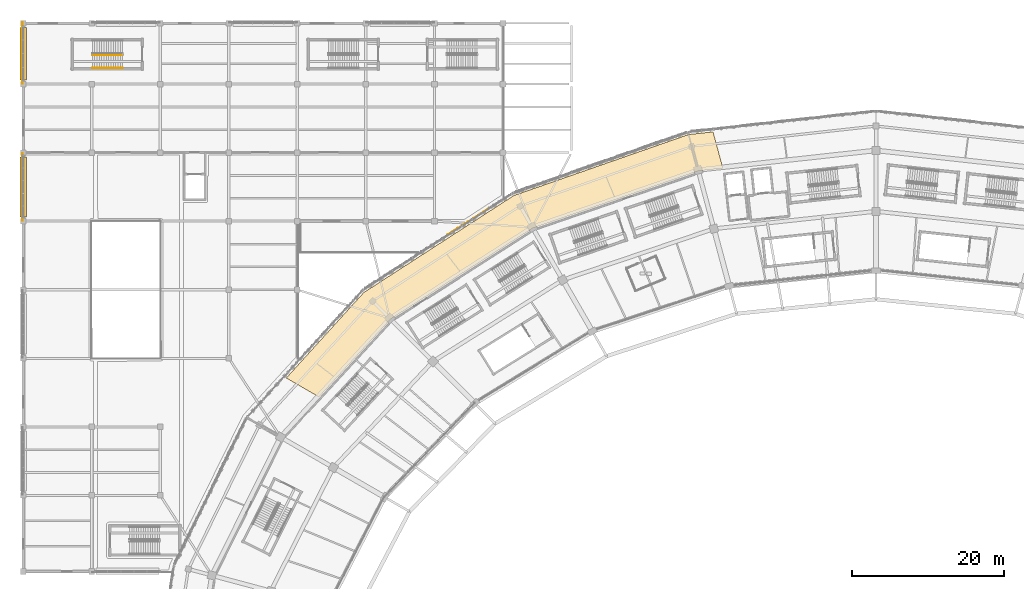
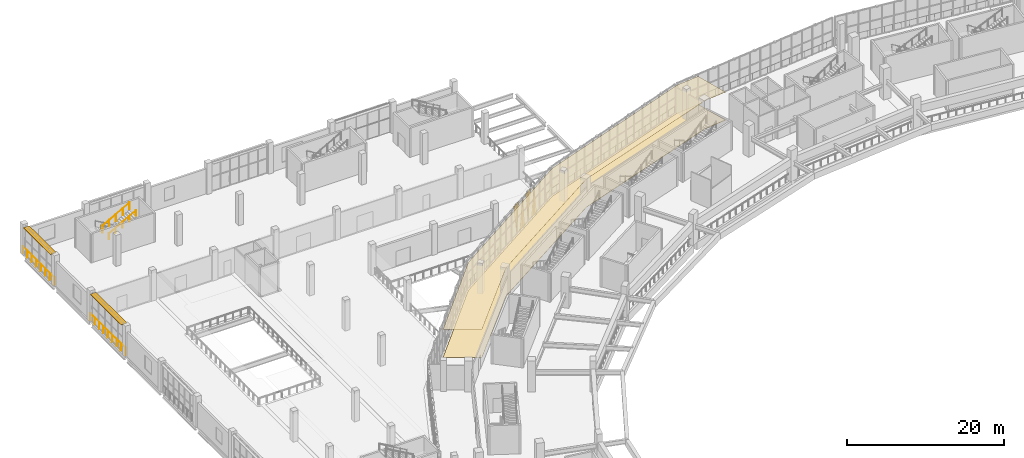
# One storey, part 161 of 179: 6 coverings, 4 railings, 2 shading devices.
"""IFC4 building model written with IfcOpenShell, lengths in metres."""

import ifcopenshell
import ifcopenshell.guid

model = None  # the IFC model being written
_history = None  # IfcOwnerHistory: only IFC2X3 demands one
_inside = {}  # id of a spatial element -> (the spatial element, [elements in it])
_under = {}  # id of a project, library or spatial element -> (it, [spatial elements below it])
_declared = {}  # id of a project -> (the project, [libraries it declares])
_typed = {}  # id of a type object -> (the type object, [elements of that type])
_made_of = {}  # id of a material, layer set ... -> (it, [elements and type objects made of it])


def new_model(schema):
    """Start an empty IFC model of exactly this schema.

    Asked for "IFC4X3", IfcOpenShell would pick the latest addendum, in which some entities
    have other attributes; the version numbers below select the first issue.
    IFC2X3 requires an IfcOwnerHistory on every rooted entity: one is made here for all.
    """
    global model, _history
    if schema == "IFC4X3":
        model = ifcopenshell.file(schema_version=(4, 3, 0, 0))
    else:
        model = ifcopenshell.file(schema=schema)
    _inside.clear()
    _under.clear()
    _declared.clear()
    _typed.clear()
    _made_of.clear()
    _history = None
    if model.schema == "IFC2X3":
        org = make("IfcOrganization", Name="unknown")
        user = make(
            "IfcPersonAndOrganization",
            ThePerson=make("IfcPerson", FamilyName="unknown"),
            TheOrganization=org,
        )
        app = make(
            "IfcApplication",
            ApplicationDeveloper=org,
            Version="unknown",
            ApplicationFullName="unknown",
            ApplicationIdentifier="unknown",
        )
        _history = make(
            "IfcOwnerHistory",
            OwningUser=user,
            OwningApplication=app,
            ChangeAction="ADDED",
            CreationDate=0,
        )
    return model


def make(cls, **values):
    """One entity of the class cls with the attributes given. An attribute that is None is left unset."""
    return model.create_entity(
        cls, **{name: value for name, value in values.items() if value is not None}
    )


def rooted(cls, **values):
    """An entity with a GlobalId (a new one), such as an element, a storey or a relation."""
    return make(cls, GlobalId=ifcopenshell.guid.new(), OwnerHistory=_history, **values)


def si_unit(unit_type, name, prefix=None):
    """IfcSIUnit, for example si_unit("LENGTHUNIT", "METRE", prefix="MILLI")."""
    return make("IfcSIUnit", UnitType=unit_type, Prefix=prefix, Name=name)


def assignment(units):
    """IfcUnitAssignment: the units of a project."""
    return None if units is None else make("IfcUnitAssignment", Units=units)


def point(xyz):
    """IfcCartesianPoint."""
    return None if xyz is None else make("IfcCartesianPoint", Coordinates=xyz)


def direction(xyz):
    """IfcDirection."""
    return None if xyz is None else make("IfcDirection", DirectionRatios=xyz)


def frame(location, z_axis=None, x_axis=None):
    """IfcAxis2Placement3D, a coordinate frame: its origin and axes. An axis left out is left unset."""
    return make(
        "IfcAxis2Placement3D",
        Location=point(location),
        Axis=direction(z_axis),
        RefDirection=direction(x_axis),
    )


def frame_2d(location, x_axis=None):
    """IfcAxis2Placement2D, a coordinate frame in the plane: its origin and x axis."""
    return make(
        "IfcAxis2Placement2D", Location=point(location), RefDirection=direction(x_axis)
    )


def origin():
    """The frame at (0, 0, 0) with its axes left unset."""
    return frame((0.0, 0.0, 0.0))


def origin_2d():
    """The frame at (0, 0) in the plane with its x axis left unset."""
    return frame_2d((0.0, 0.0))


def place(relative_to, where):
    """IfcLocalPlacement: puts the frame where relative to a parent placement (None: the world)."""
    return make(
        "IfcLocalPlacement", PlacementRelTo=relative_to, RelativePlacement=where
    )


def context(
    kind, dimensions, precision=None, world=None, true_north=None, identifier=None
):
    """IfcGeometricRepresentationContext, for example the 3D "Model" context."""
    return make(
        "IfcGeometricRepresentationContext",
        ContextIdentifier=identifier,
        ContextType=kind,
        CoordinateSpaceDimension=dimensions,
        Precision=precision,
        WorldCoordinateSystem=world,
        TrueNorth=true_north,
    )


def subcontext(parent, identifier, kind, view, scale=None):
    """IfcGeometricRepresentationSubContext, for example "Body" below "Model"."""
    return make(
        "IfcGeometricRepresentationSubContext",
        ContextIdentifier=identifier,
        ContextType=kind,
        ParentContext=parent,
        TargetScale=scale,
        TargetView=view,
    )


def project(units=None, contexts=None):
    """IfcProject with its units and contexts."""
    return rooted(
        "IfcProject",
        Name="project",
        RepresentationContexts=contexts,
        UnitsInContext=assignment(units),
    )


def spatial(cls, under=None, at=None, **own):
    """A site, building, storey or space (cls), placed at a placement, below another one or the project."""
    s = rooted(cls, ObjectPlacement=at, **own)
    if under is not None:
        _under.setdefault(under.id(), (under, []))[1].append(s)
    return s


def polyline(points):
    """IfcPolyline through the points."""
    return make("IfcPolyline", Points=[point(p) for p in points])


def profile(cls, at=None, kind="AREA", **sizes):
    """A parametric profile (cls). Its sizes go by their IFC names, for example OverallWidth=200.0."""
    return make(cls, ProfileType=kind, Position=at, **sizes)


def rectangle(**sizes):
    """IfcRectangleProfileDef."""
    return profile("IfcRectangleProfileDef", **sizes)


def circle(**sizes):
    """IfcCircleProfileDef."""
    return profile("IfcCircleProfileDef", **sizes)


def outline(outer, holes=None, kind="AREA"):
    """IfcArbitraryClosedProfileDef: a profile drawn as a closed curve; with holes, ...WithVoids."""
    if holes is None:
        return make("IfcArbitraryClosedProfileDef", ProfileType=kind, OuterCurve=outer)
    return make(
        "IfcArbitraryProfileDefWithVoids",
        ProfileType=kind,
        OuterCurve=outer,
        InnerCurves=holes,
    )


def extrude(swept, where, along, depth):
    """IfcExtrudedAreaSolid: the profile swept, set in the frame where, extruded along a direction by depth."""
    return make(
        "IfcExtrudedAreaSolid",
        SweptArea=swept,
        Position=where,
        ExtrudedDirection=direction(along),
        Depth=depth,
    )


def shape(context_of_items, identifier, shape_type, items):
    """IfcShapeRepresentation: the items that make up one representation, for example the "Body"."""
    return make(
        "IfcShapeRepresentation",
        ContextOfItems=context_of_items,
        RepresentationIdentifier=identifier,
        RepresentationType=shape_type,
        Items=items,
    )


def material(Name=None, Category=None):
    """IfcMaterial."""
    return make("IfcMaterial", Name=Name, Category=Category)


def layer(
    of_material, thickness, ventilated=None, Name=None, Category=None, Priority=None
):
    """IfcMaterialLayer: one layer of a wall or slab, of a material (None: an air gap)."""
    return make(
        "IfcMaterialLayer",
        Material=of_material,
        LayerThickness=thickness,
        IsVentilated=ventilated,
        Name=Name,
        Category=Category,
        Priority=Priority,
    )


def layer_set(layers, Name=None):
    """IfcMaterialLayerSet."""
    return make("IfcMaterialLayerSet", MaterialLayers=layers, LayerSetName=Name)


def made_of(thing, what):
    """Note that an element or type object is made of a material, layer set ...; save() writes the relation."""
    if what is not None:
        _made_of.setdefault(what.id(), (what, []))[1].append(thing)
    return thing


def type_object(cls, material=None, **own):
    """A type object (cls), such as IfcWallType, which elements share."""
    return made_of(rooted(cls, **own), material)


def element(
    cls,
    number,
    at=None,
    inside=None,
    cuts=None,
    type_object=None,
    material=None,
    context=None,
    identifier="Body",
    shape_type=None,
    held_by="IfcProductDefinitionShape",
    body=None,
    shapes=None,
    **own,
):
    """One element of the class cls, such as IfcWall. Its Tag is "e" and its number.

    at: its placement. inside: the storey or other place that contains it. cuts: it is an
    opening in that element (IfcRelVoidsElement). A single representation is given by context,
    identifier, shape_type and body (its items); several are given by shapes. held_by: the class
    of the entity that holds the representations. save() writes the other relations.
    """
    e = rooted(cls, Tag="e%d" % number, ObjectPlacement=at, **own)
    if body is not None:
        shapes = [shape(context, identifier, shape_type, body)]
    if shapes is not None:
        e.Representation = make(held_by, Representations=shapes)
    if inside is not None:
        _inside.setdefault(inside.id(), (inside, []))[1].append(e)
    if cuts is not None:
        rooted(
            "IfcRelVoidsElement", RelatingBuildingElement=cuts, RelatedOpeningElement=e
        )
    if type_object is not None:
        _typed.setdefault(type_object.id(), (type_object, []))[1].append(e)
    return made_of(e, material)


def aggregate(whole, parts):
    """IfcRelAggregates: a whole, such as a stair, and the parts it consists of."""
    return rooted("IfcRelAggregates", RelatingObject=whole, RelatedObjects=parts)


def save(model, path):
    """Write the relations noted so far, then the file.

    IfcRelAggregates (storeys below a building ...), IfcRelContainedInSpatialStructure (elements
    in a storey), IfcRelDefinesByType, IfcRelAssociatesMaterial and IfcRelDeclares: one each for
    every whole, place, type object, material and project.
    """
    for whole, parts in _under.values():
        aggregate(whole, parts)
    for where, things in _inside.values():
        rooted(
            "IfcRelContainedInSpatialStructure",
            RelatedElements=things,
            RelatingStructure=where,
        )
    for kind, things in _typed.values():
        rooted("IfcRelDefinesByType", RelatedObjects=things, RelatingType=kind)
    for what, things in _made_of.values():
        rooted("IfcRelAssociatesMaterial", RelatedObjects=things, RelatingMaterial=what)
    for by, libraries in _declared.values():
        rooted("IfcRelDeclares", RelatingContext=by, RelatedDefinitions=libraries)
    model.write(path)


model = new_model("IFC4")

# Units and contexts
model_context = context("Model", 3, precision=1e-05, world=origin(), true_north=direction((0.0, 1.0)))
body_context = subcontext(model_context, "Body", "Model", "MODEL_VIEW")
ifc_project = project(units=[si_unit("LENGTHUNIT", "METRE"), si_unit("AREAUNIT", "SQUARE_METRE"), si_unit("VOLUMEUNIT", "CUBIC_METRE"), si_unit("PLANEANGLEUNIT", "RADIAN"), si_unit("MASSUNIT", "GRAM", prefix="KILO")], contexts=[model_context])

# Site, building, storey
site_placement = place(None, origin())
site = spatial("IfcSite", under=ifc_project, at=site_placement, CompositionType="ELEMENT")
building_placement = place(site_placement, origin())
building = spatial("IfcBuilding", under=site, at=building_placement, Name="Zevraka Park Crest Stadium", CompositionType="ELEMENT")
storey_placement = place(building_placement, frame((0.0, 0.0, 10.199951171875)))
storey = spatial("IfcBuildingStorey", under=building, at=storey_placement, Name="L02", CompositionType="ELEMENT", Elevation=10.199951171875)

# Coverings
ifc_material_1 = material(Name="Architectural golden-bronze perforated aluminium", Category="aluminium")
ifc_layer_1 = layer(ifc_material_1, 0.034912109375)
ifc_layer_set_1 = layer_set([ifc_layer_1], Name="Architectural golden-bronze perforated aluminium")
covering_type_1 = type_object("IfcCoveringType", Name="CLD01", PredefinedType="CLADDING", material=ifc_layer_set_1)
covering_1_placement = place(storey_placement, frame((61.0869140625, 159.6689453125, -0.239990234375), z_axis=(-0.543285997877, 0.839547690307, 1.4543474e-05), x_axis=(-0.839547690396, -0.543285997934, 0.0)))
element("IfcCovering", 1, at=covering_1_placement, inside=storey, type_object=covering_type_1, Name="Triangular Golden-Bronze Perforated Cladding L02-08-3", PredefinedType="CLADDING", context=body_context, shape_type="SweptSolid", body=[
    extrude(outline(polyline([(0.0, 0.0), (1.457781335266565, -1.6940658945086007e-21), (0.7287881837843572, 4.560058594232255), (0.0, 0.0)])), origin(), (0.0, 0.0, -1.0), 0.034912109375),
])
covering_2_placement = place(storey_placement, frame((58.50390625, 157.9990234375, 4.47998046875), z_axis=(-0.542904272256, 0.839794586369, 6.2227551e-05), x_axis=(0.839794587995, 0.542904273307, 0.0)))
element("IfcCovering", 2, at=covering_2_placement, inside=storey, type_object=covering_type_1, Name="Triangular Golden-Bronze Perforated Cladding L02-08-4", PredefinedType="CLADDING", context=body_context, shape_type="SweptSolid", body=[
    extrude(outline(polyline([(0.0, 0.0), (1.458806324503112, 0.0), (0.7289931063003867, 4.260009773872949), (0.0, 0.0)])), origin(), (0.0, 0.0, -1.0), 0.034912109375),
])
covering_3_placement = place(storey_placement, frame((58.3701171875, 157.912109375, -0.239990234375), z_axis=(-0.54290427239, 0.839794586576, 5.813302e-05), x_axis=(-0.839794587995, -0.542904273307, 0.0)))
element("IfcCovering", 3, at=covering_3_placement, inside=storey, type_object=covering_type_1, Name="Triangular Golden-Bronze Perforated Cladding L02-08-5", PredefinedType="CLADDING", context=body_context, shape_type="SweptSolid", body=[
    extrude(outline(polyline([(0.0, 0.0), (1.458806324503112, 0.0), (0.7289931063003867, 4.56005860145524), (0.0, 0.0)])), origin(), (0.0, 0.0, -1.0), 0.034912109375),
])
covering_4_placement = place(storey_placement, frame((55.785888671875, 156.240966796875, 4.47998046875), z_axis=(0.542904272256, -0.839794586369, 6.2227551e-05), x_axis=(0.839794587995, 0.542904273307, 0.0)))
element("IfcCovering", 4, at=covering_4_placement, inside=storey, type_object=covering_type_1, Name="Triangular Golden-Bronze Perforated Cladding L02-08-6", PredefinedType="CLADDING", context=body_context, shape_type="SweptSolid", body=[
    extrude(outline(polyline([(0.0, 0.0), (1.458806324503112, 0.0), (0.729813218202725, -4.260009773872949), (0.0, 0.0)])), origin(), (0.0, 0.0, -1.0), 0.034912109375),
])
ifc_material_2 = material(Name="Perforated acoustic mineral-fibre suspended ceiling", Category="other")
ifc_layer_2 = layer(ifc_material_2, 0.02490234375)
ifc_layer_set_2 = layer_set([ifc_layer_2], Name="Perforated acoustic mineral-fibre suspended ceiling")
covering_type_2 = type_object("IfcCoveringType", Name="CLG01", PredefinedType="CEILING", material=ifc_layer_set_2)
covering_5_placement = place(storey_placement, frame((0.0, 0.0, 4.360107421875)))
element("IfcCovering", 5, at=covering_5_placement, inside=storey, type_object=covering_type_2, Name="Acoustic Ceiling North Park Banquet Hall L02-037", PredefinedType="CEILING", context=body_context, shape_type="SweptSolid", body=[
    extrude(outline(polyline([(87.363037109375, 169.383056640625), (90.595947265625, 169.72802734375), (91.8798828125, 164.962890625), (88.694091796875, 164.60498046875), (88.672119140625, 164.60107421875), (88.65087890625, 164.594970703125), (66.9541015625, 157.10498046875), (66.931884765625, 157.095947265625), (66.910888671875, 157.0849609375), (48.281005859375, 145.174072265625), (48.26708984375, 145.1640625), (48.25390625, 145.153076171875), (48.241943359375, 145.14111328125), (38.8291015625, 134.923095703125), (34.54296875, 137.408935546875), (44.720947265625, 148.6298828125), (64.4150390625, 161.368896484375), (87.363037109375, 169.383056640625)])), origin(), (0.0, 0.0, 1.0), 0.02490234375),
])
ifc_material_3 = material(Name="Honed terrazzo and slip-resistant sports flooring", Category="other")
ifc_layer_3 = layer(ifc_material_3, 0.0400390625)
ifc_layer_set_3 = layer_set([ifc_layer_3], Name="Honed terrazzo and slip-resistant sports flooring")
covering_type_3 = type_object("IfcCoveringType", Name="FLR01", PredefinedType="FLOORING", material=ifc_layer_set_3)
covering_6_placement = place(storey_placement, origin())
element("IfcCovering", 6, at=covering_6_placement, inside=storey, type_object=covering_type_3, Name="Terrazzo Floor Finish North Park Banquet Hall L02-037", PredefinedType="FLOORING", context=body_context, shape_type="SweptSolid", body=[
    extrude(outline(polyline([(87.363037109375, 169.383056640625), (90.595947265625, 169.72802734375), (91.8798828125, 164.962890625), (88.694091796875, 164.60498046875), (88.672119140625, 164.60107421875), (88.65087890625, 164.594970703125), (66.9541015625, 157.10498046875), (66.931884765625, 157.095947265625), (66.910888671875, 157.0849609375), (48.281005859375, 145.174072265625), (48.26708984375, 145.1640625), (48.25390625, 145.153076171875), (48.241943359375, 145.14111328125), (38.8291015625, 134.923095703125), (34.54296875, 137.408935546875), (44.720947265625, 148.6298828125), (64.4150390625, 161.368896484375), (87.363037109375, 169.383056640625)])), origin(), (0.0, 0.0, 1.0), 0.0400390625),
])

# Railings
ifc_material_4 = material(Name="Galvanised and bronze-finished steel balustrade", Category="steel")
railing_type_1 = type_object("IfcRailingType", Name="GR01", PredefinedType="GUARDRAIL", material=ifc_material_4)
railing_1_placement = place(storey_placement, frame((-0.10498046875, 158.06591796875, 0.0)))
element("IfcRailing", 7, at=railing_1_placement, inside=storey, type_object=railing_type_1, Name="Deck Edge Protection Guardrail GR01 L02-53", PredefinedType="GUARDRAIL", context=body_context, shape_type="SweptSolid", body=[
    extrude(circle(Radius=0.02392578125, at=origin_2d()), frame((0.0, 0.0, 1.076171875), z_axis=(0.0, 1.0, 0.0), x_axis=(-1.0, 0.0, 0.0)), (0.0, 0.0, 1.0), 8.8681640625),
    extrude(circle(Radius=0.02099609375, at=origin_2d()), origin(), (0.0, 0.0, 1.0), 1.052001953125),
    extrude(circle(Radius=0.02099609375, at=origin_2d()), frame((0.0, 1.1083984375, 0.0)), (0.0, 0.0, 1.0), 1.052001953125),
    extrude(circle(Radius=0.02099609375, at=origin_2d()), frame((0.0, 2.217041015625, 0.0)), (0.0, 0.0, 1.0), 1.052001953125),
    extrude(circle(Radius=0.02099609375, at=origin_2d()), frame((0.0, 3.32568359375, 0.0)), (0.0, 0.0, 1.0), 1.052001953125),
    extrude(circle(Radius=0.02099609375, at=origin_2d()), frame((0.0, 4.43408203125, 0.0)), (0.0, 0.0, 1.0), 1.052001953125),
    extrude(circle(Radius=0.02099609375, at=origin_2d()), frame((0.0, 5.54248046875, 0.0)), (0.0, 0.0, 1.0), 1.052001953125),
    extrude(circle(Radius=0.02099609375, at=origin_2d()), frame((0.0, 6.651123046875, 0.0)), (0.0, 0.0, 1.0), 1.052001953125),
    extrude(circle(Radius=0.02099609375, at=origin_2d()), frame((0.0, 7.759765625, 0.0)), (0.0, 0.0, 1.0), 1.052001953125),
    extrude(circle(Radius=0.02099609375, at=origin_2d()), frame((0.0, 8.8681640625, 0.0)), (0.0, 0.0, 1.0), 1.052001953125),
])
railing_2_placement = place(storey_placement, frame((-0.10498046875, 176.06591796875, 0.0)))
element("IfcRailing", 8, at=railing_2_placement, inside=storey, type_object=railing_type_1, Name="Deck Edge Protection Guardrail GR01 L02-54", PredefinedType="GUARDRAIL", context=body_context, shape_type="SweptSolid", body=[
    extrude(circle(Radius=0.02392578125, at=origin_2d()), frame((0.0, 0.0, 1.076171875), z_axis=(0.0, 1.0, 0.0), x_axis=(-1.0, 0.0, 0.0)), (0.0, 0.0, 1.0), 8.0390625),
    extrude(circle(Radius=0.02099609375, at=origin_2d()), origin(), (0.0, 0.0, 1.0), 1.052001953125),
    extrude(circle(Radius=0.02099609375, at=origin_2d()), frame((0.0, 1.1484375, 0.0)), (0.0, 0.0, 1.0), 1.052001953125),
    extrude(circle(Radius=0.02099609375, at=origin_2d()), frame((0.0, 2.296875, 0.0)), (0.0, 0.0, 1.0), 1.052001953125),
    extrude(circle(Radius=0.02099609375, at=origin_2d()), frame((0.0, 3.4453125, 0.0)), (0.0, 0.0, 1.0), 1.052001953125),
    extrude(circle(Radius=0.02099609375, at=origin_2d()), frame((0.0, 4.59375, 0.0)), (0.0, 0.0, 1.0), 1.052001953125),
    extrude(circle(Radius=0.02099609375, at=origin_2d()), frame((0.0, 5.7421875, 0.0)), (0.0, 0.0, 1.0), 1.052001953125),
    extrude(circle(Radius=0.02099609375, at=origin_2d()), frame((0.0, 6.890625, 0.0)), (0.0, 0.0, 1.0), 1.052001953125),
    extrude(circle(Radius=0.02099609375, at=origin_2d()), frame((0.0, 8.0390625, 0.0)), (0.0, 0.0, 1.0), 1.052001953125),
])
ifc_material_5 = material(Name="Powder-coated tubular steel stairwell guard", Category="steel")
railing_type_2 = type_object("IfcRailingType", Name="GR03", PredefinedType="GUARDRAIL", material=ifc_material_5)
railing_3_placement = place(storey_placement, frame((9.0849609375, 179.7900390625, 2.571533203125)))
element("IfcRailing", 9, at=railing_3_placement, inside=storey, type_object=railing_type_2, Name="L02 ST47 stair guard 3", PredefinedType="GUARDRAIL", context=body_context, shape_type="SweptSolid", body=[
    extrude(circle(Radius=0.02392578125, at=origin_2d()), frame((0.0, 0.0, 1.076171875), z_axis=(0.871748933509, 0.0, 0.489952851738), x_axis=(0.0, 1.0, 0.0)), (0.0, 0.0, 1.0), 4.54833984375),
    extrude(circle(Radius=0.02099609375, at=origin_2d()), origin(), (0.0, 0.0, 1.0), 1.052001953125),
    extrude(circle(Radius=0.02099609375, at=origin_2d()), frame((0.9912109375, 0.0, 0.55712890625)), (0.0, 0.0, 1.0), 1.052001953125),
    extrude(circle(Radius=0.02099609375, at=origin_2d()), frame((1.982421875, 0.0, 1.1142578125)), (0.0, 0.0, 1.0), 1.052001953125),
    extrude(circle(Radius=0.02099609375, at=origin_2d()), frame((2.973876953125, 0.0, 1.67138671875)), (0.0, 0.0, 1.0), 1.052001953125),
    extrude(circle(Radius=0.02099609375, at=origin_2d()), frame((3.965087890625, 0.0, 2.228515625)), (0.0, 0.0, 1.0), 1.052001953125),
])
ifc_material_6 = material(Name="Brushed stainless steel continuous handrail", Category="steel")
railing_type_3 = type_object("IfcRailingType", Name="HR01", PredefinedType="HANDRAIL", material=ifc_material_6)
railing_4_placement = place(storey_placement, frame((9.0849609375, 178.139892578125, 2.571533203125)))
element("IfcRailing", 10, at=railing_4_placement, inside=storey, type_object=railing_type_3, Name="L02 ST47 stair handrail 2", PredefinedType="HANDRAIL", context=body_context, shape_type="SweptSolid", body=[
    extrude(circle(Radius=0.02392578125, at=origin_2d()), frame((0.0, 0.0, 0.8759765625), z_axis=(0.871748933509, 0.0, 0.489952851738), x_axis=(0.0, 1.0, 0.0)), (0.0, 0.0, 1.0), 4.54833984375),
    extrude(circle(Radius=0.02099609375, at=origin_2d()), origin(), (0.0, 0.0, 1.0), 0.851806640625),
    extrude(circle(Radius=0.02099609375, at=origin_2d()), frame((0.9912109375, 0.0, 0.55712890625)), (0.0, 0.0, 1.0), 0.851806640625),
    extrude(circle(Radius=0.02099609375, at=origin_2d()), frame((1.982421875, 0.0, 1.1142578125)), (0.0, 0.0, 1.0), 0.851806640625),
    extrude(circle(Radius=0.02099609375, at=origin_2d()), frame((2.973876953125, 0.0, 1.67138671875)), (0.0, 0.0, 1.0), 0.851806640625),
    extrude(circle(Radius=0.02099609375, at=origin_2d()), frame((3.965087890625, 0.0, 2.228515625)), (0.0, 0.0, 1.0), 0.851806640625),
])

# Shading devices
ifc_material_7 = material(Name="Architectural golden-bronze anodised bronze", Category="aluminium")
ifc_layer_4 = layer(ifc_material_7, 0.06005859375)
ifc_layer_set_4 = layer_set([ifc_layer_4], Name="Architectural golden-bronze anodised bronze")
shading_device_type = type_object("IfcShadingDeviceType", Name="SHD01", PredefinedType="USERDEFINED", material=ifc_layer_set_4)
shading_device_1_placement = place(storey_placement, frame((0.0, 162.5, 4.419921875), z_axis=(0.0, 0.0, 1.0), x_axis=(0.0, 1.0, 0.0)))
element("IfcShadingDevice", 11, at=shading_device_1_placement, inside=storey, type_object=shading_device_type, Name="Wing Bronze Solar Screen SHD01 L02-NW-W-6", ObjectType="SOLAR SCREEN", PredefinedType="USERDEFINED", context=body_context, shape_type="SweptSolid", body=[
    extrude(rectangle(XDim=7.8701171875, YDim=0.85009765625, at=origin_2d()), origin(), (0.0, 0.0, 1.0), 0.06005859375),
])
shading_device_2_placement = place(storey_placement, frame((0.0, 180.0, 4.419921875), z_axis=(0.0, 0.0, 1.0), x_axis=(0.0, 1.0, 0.0)))
element("IfcShadingDevice", 12, at=shading_device_2_placement, inside=storey, type_object=shading_device_type, Name="Wing Bronze Solar Screen SHD01 L02-NW-W-8", ObjectType="SOLAR SCREEN", PredefinedType="USERDEFINED", context=body_context, shape_type="SweptSolid", body=[
    extrude(rectangle(XDim=6.8701171875, YDim=0.85009765625, at=origin_2d()), origin(), (0.0, 0.0, 1.0), 0.06005859375),
])

save(model, "model.ifc")
